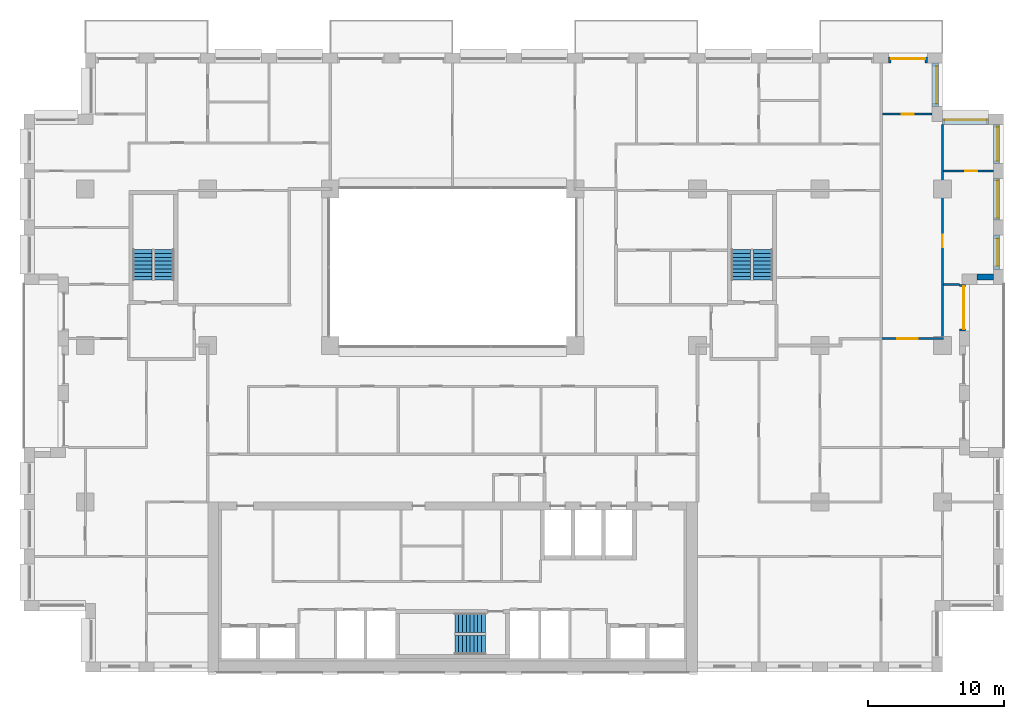
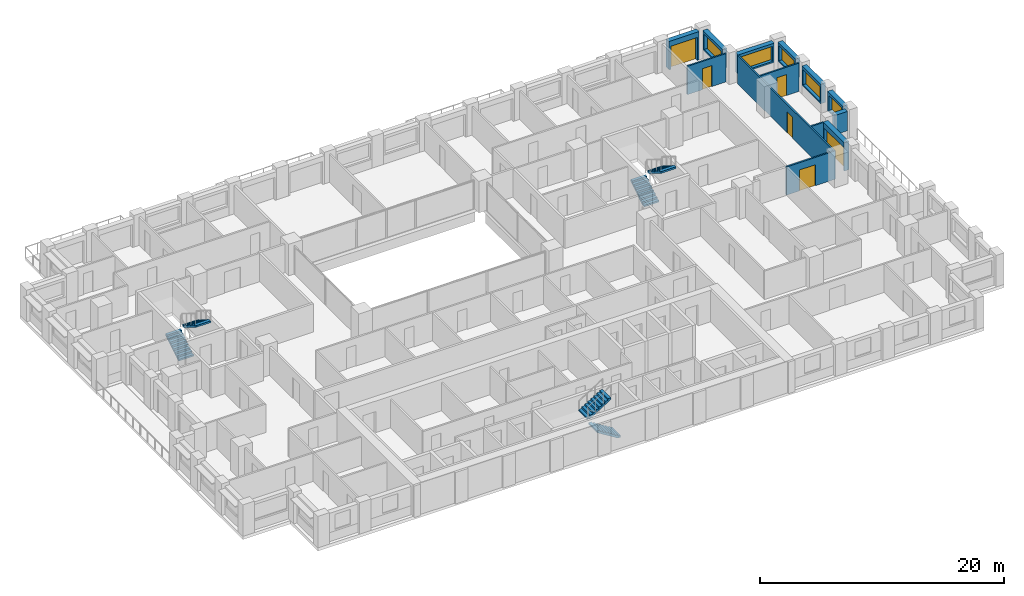
# One storey, part 15 of 16: 13 walls, 6 doors, 6 stair flights, 5 windows, 11 openings, 3 elements without a shape of their own.
"""IFC4 building model written with IfcOpenShell, lengths in metres."""

from ifc_helpers import new_model, si_unit, direction, frame, frame_2d, origin, place, context, subcontext, project, spatial, polyline, rectangle, outline, extrude, material, layer, layer_set, type_object, element, fill, aggregate, save


model = new_model("IFC4")

# Units and contexts
model_context = context("Model", 3, precision=1e-05, world=origin(), true_north=direction((0.0, 1.0)))
body_context = subcontext(model_context, "Body", "Model", "MODEL_VIEW")
ifc_project = project(units=[si_unit("LENGTHUNIT", "METRE"), si_unit("AREAUNIT", "SQUARE_METRE"), si_unit("VOLUMEUNIT", "CUBIC_METRE"), si_unit("PLANEANGLEUNIT", "RADIAN"), si_unit("MASSUNIT", "GRAM", prefix="KILO")], contexts=[model_context])

# Site, building, storey
site_placement = place(None, origin())
site = spatial("IfcSite", under=ifc_project, at=site_placement, CompositionType="ELEMENT")
building_placement = place(site_placement, origin())
building = spatial("IfcBuilding", under=site, at=building_placement, Name="Brigalow Station Residences", CompositionType="ELEMENT")
storey_placement = place(building_placement, frame((0.0, 0.0, 89.85009765625)))
storey = spatial("IfcBuildingStorey", under=building, at=storey_placement, Name="L25", CompositionType="ELEMENT", Elevation=89.85009765625)

# Wall, opening, door
ifc_material_1 = material(Name="Clay brick masonry", Category="masonry")
ifc_layer_1 = layer(ifc_material_1, 0.449951171875)
ifc_layer_set_1 = layer_set([ifc_layer_1], Name="BRICK INFILL WALL 450")
wall_type_1 = type_object("IfcWallType", Name="BRICK INFILL WALL 450", PredefinedType="SOLIDWALL", material=ifc_layer_set_1)
wall_1_placement = place(storey_placement, frame((73.47509765625, 25.050048828125, 0.0), z_axis=(0.0, 0.0, 1.0), x_axis=(0.0, 1.0, 0.0)))
wall_1 = element("IfcWall", 1, at=wall_1_placement, inside=storey, type_object=wall_type_1, Name="L25/ewall/W-L25-16", PredefinedType="SOLIDWALL", context=body_context, shape_type="SweptSolid", body=[
    extrude(rectangle(XDim=3.449951171875, YDim=0.449951171875, at=frame_2d((1.72509765625, 0.0))), origin(), (0.0, 0.0, 1.0), 2.829833984375),
])
opening_1_placement = place(wall_1_placement, frame((0.14990234375, 0.0, 0.0)))
opening_1 = element("IfcOpeningElement", 2, at=opening_1_placement, cuts=wall_1, Name="Opening D-B3150", PredefinedType="OPENING", context=body_context, shape_type="SweptSolid", body=[
    extrude(rectangle(XDim=3.14990234375, YDim=2.300048828125, at=frame_2d((1.574951171875, 1.14990234375))), frame((0.0, 0.23486328125, 0.0), z_axis=(0.0, -1.0, 0.0), x_axis=(1.0, 0.0, 0.0)), (0.0, 0.0, 1.0), 0.469970703125),
])
ifc_material_2 = material(Name="Anodised aluminium frame with double glazing", Category="aluminium")
door_type_1 = type_object("IfcDoorType", Name="BALCONY SLIDING DOOR 3150x2300", OperationType="SLIDING_TO_LEFT", PredefinedType="DOOR", material=ifc_material_2)
door_1_placement = place(opening_1_placement, origin())
door_1 = element("IfcDoor", 3, at=door_1_placement, inside=storey, type_object=door_type_1, Name="L25/balcony-door/W-L25-16", OperationType="SLIDING_TO_LEFT", OverallHeight=2.300048828125, OverallWidth=3.14990234375, PredefinedType="DOOR", context=body_context, shape_type="SweptSolid", body=[
    extrude(rectangle(XDim=3.14990234375, YDim=2.300048828125, at=frame_2d((1.574951171875, 1.14990234375))), frame((0.0, -0.06982421875, 0.0), z_axis=(0.0, -1.0, 0.0), x_axis=(1.0, 0.0, 0.0)), (0.0, 0.0, 1.0), 0.050048828125),
])
fill(opening_1, door_1)

# Wall
wall_2_placement = place(storey_placement, frame((74.550048828125, 29.02490234375, 0.89990234375), z_axis=(0.0, 0.0, 1.0), x_axis=(1.0, 0.0, 0.0)))
element("IfcWall", 4, at=wall_2_placement, inside=storey, type_object=wall_type_1, Name="L25/ewall/W-L25-17", PredefinedType="SOLIDWALL", context=body_context, shape_type="SweptSolid", body=[
    extrude(rectangle(XDim=1.199951171875, YDim=0.449951171875, at=frame_2d((0.60009765625, 0.0))), origin(), (0.0, 0.0, 1.0), 1.929931640625),
])

# Wall, opening, window
wall_3_placement = place(storey_placement, frame((75.97509765625, 29.60009765625, 0.89990234375), z_axis=(0.0, 0.0, 1.0), x_axis=(0.0, 1.0, 0.0)))
wall_3 = element("IfcWall", 5, at=wall_3_placement, inside=storey, type_object=wall_type_1, Name="L25/ewall/W-L25-18", PredefinedType="SOLIDWALL", context=body_context, shape_type="SweptSolid", body=[
    extrude(rectangle(XDim=2.516845703125, YDim=0.449951171875, at=frame_2d((1.25830078125, 0.0))), origin(), (0.0, 0.0, 1.0), 1.929931640625),
])
opening_2_placement = place(wall_3_placement, frame((0.258544921875, 0.0, 0.14990234375)))
opening_2 = element("IfcOpeningElement", 6, at=opening_2_placement, cuts=wall_3, Name="Opening WT-7", PredefinedType="OPENING", context=body_context, shape_type="SweptSolid", body=[
    extrude(rectangle(XDim=2.0, YDim=1.5, at=frame_2d((1.0, 0.75))), frame((0.0, 0.23486328125, 0.0), z_axis=(0.0, -1.0, 0.0), x_axis=(1.0, 0.0, 0.0)), (0.0, 0.0, 1.0), 0.469970703125),
])
ifc_material_3 = material(Name="Anodised aluminium frame with double glazing", Category="aluminium")
window_type_1 = type_object("IfcWindowType", Name="WINDOW 2000x1500", PartitioningType="SINGLE_PANEL", PredefinedType="WINDOW", material=ifc_material_3)
window_1_placement = place(opening_2_placement, origin())
window_1 = element("IfcWindow", 7, at=window_1_placement, inside=storey, type_object=window_type_1, Name="L25/window/W-L25-18", OverallHeight=1.5, OverallWidth=2.0, PartitioningType="SINGLE_PANEL", PredefinedType="WINDOW", context=body_context, shape_type="SweptSolid", body=[
    extrude(rectangle(XDim=2.0, YDim=1.5, at=frame_2d((1.0, 0.75))), frame((0.0, -0.06494140625, 0.0), z_axis=(0.0, -1.0, 0.0), x_axis=(1.0, 0.0, 0.0)), (0.0, 0.0, 1.0), 0.06005859375),
])
fill(opening_2, window_1)

wall_4_placement = place(storey_placement, frame((75.97509765625, 33.217041015625, 0.89990234375), z_axis=(0.0, 0.0, 1.0), x_axis=(0.0, 1.0, 0.0)))
wall_4 = element("IfcWall", 8, at=wall_4_placement, inside=storey, type_object=wall_type_1, Name="L25/ewall/W-L25-19", PredefinedType="SOLIDWALL", context=body_context, shape_type="SweptSolid", body=[
    extrude(rectangle(XDim=3.06591796875, YDim=0.449951171875, at=frame_2d((1.532958984375, 0.0))), origin(), (0.0, 0.0, 1.0), 1.929931640625),
])
opening_3_placement = place(wall_4_placement, frame((0.157958984375, 0.0, 0.14990234375)))
opening_3 = element("IfcOpeningElement", 9, at=opening_3_placement, cuts=wall_4, Name="Opening WT-3", PredefinedType="OPENING", context=body_context, shape_type="SweptSolid", body=[
    extrude(rectangle(XDim=2.75, YDim=1.5, at=frame_2d((1.375, 0.75))), frame((0.0, 0.23486328125, 0.0), z_axis=(0.0, -1.0, 0.0), x_axis=(1.0, 0.0, 0.0)), (0.0, 0.0, 1.0), 0.469970703125),
])
ifc_material_4 = material(Name="Anodised aluminium frame with double glazing", Category="aluminium")
window_type_2 = type_object("IfcWindowType", Name="WINDOW 2750x1500", PartitioningType="SINGLE_PANEL", PredefinedType="WINDOW", material=ifc_material_4)
window_2_placement = place(opening_3_placement, origin())
window_2 = element("IfcWindow", 10, at=window_2_placement, inside=storey, type_object=window_type_2, Name="L25/window/W-L25-19", OverallHeight=1.5, OverallWidth=2.75, PartitioningType="SINGLE_PANEL", PredefinedType="WINDOW", context=body_context, shape_type="SweptSolid", body=[
    extrude(rectangle(XDim=2.75, YDim=1.5, at=frame_2d((1.375, 0.75))), frame((0.0, -0.06494140625, 0.0), z_axis=(0.0, -1.0, 0.0), x_axis=(1.0, 0.0, 0.0)), (0.0, 0.0, 1.0), 0.06005859375),
])
fill(opening_3, window_2)

wall_5_placement = place(storey_placement, frame((75.97509765625, 37.383056640625, 0.89990234375), z_axis=(0.0, 0.0, 1.0), x_axis=(0.0, 1.0, 0.0)))
wall_5 = element("IfcWall", 11, at=wall_5_placement, inside=storey, type_object=wall_type_1, Name="L25/ewall/W-L25-20", PredefinedType="SOLIDWALL", context=body_context, shape_type="SweptSolid", body=[
    extrude(rectangle(XDim=2.866943359375, YDim=0.449951171875, at=frame_2d((1.43359375, 0.0))), origin(), (0.0, 0.0, 1.0), 1.929931640625),
])
opening_4_placement = place(wall_5_placement, frame((0.18359375, 0.0, 0.14990234375)))
opening_4 = element("IfcOpeningElement", 12, at=opening_4_placement, cuts=wall_5, Name="Opening WT-5", PredefinedType="OPENING", context=body_context, shape_type="SweptSolid", body=[
    extrude(rectangle(XDim=2.5, YDim=1.5, at=frame_2d((1.25, 0.75))), frame((0.0, 0.23486328125, 0.0), z_axis=(0.0, -1.0, 0.0), x_axis=(1.0, 0.0, 0.0)), (0.0, 0.0, 1.0), 0.469970703125),
])
ifc_material_5 = material(Name="Anodised aluminium frame with double glazing", Category="aluminium")
window_type_3 = type_object("IfcWindowType", Name="WINDOW 2500x1500", PartitioningType="SINGLE_PANEL", PredefinedType="WINDOW", material=ifc_material_5)
window_3_placement = place(opening_4_placement, origin())
window_3 = element("IfcWindow", 13, at=window_3_placement, inside=storey, type_object=window_type_3, Name="L25/window/W-L25-20", OverallHeight=1.5, OverallWidth=2.5, PartitioningType="SINGLE_PANEL", PredefinedType="WINDOW", context=body_context, shape_type="SweptSolid", body=[
    extrude(rectangle(XDim=2.5, YDim=1.5, at=frame_2d((1.25, 0.75))), frame((0.0, -0.06494140625, 0.0), z_axis=(0.0, -1.0, 0.0), x_axis=(1.0, 0.0, 0.0)), (0.0, 0.0, 1.0), 0.06005859375),
])
fill(opening_4, window_3)

wall_6_placement = place(storey_placement, frame((75.39990234375, 40.47509765625, 0.89990234375), z_axis=(0.0, 0.0, 1.0), x_axis=(-1.0, 0.0, 0.0)))
wall_6 = element("IfcWall", 14, at=wall_6_placement, inside=storey, type_object=wall_type_1, Name="L25/ewall/W-L25-21", PredefinedType="SOLIDWALL", context=body_context, shape_type="SweptSolid", body=[
    extrude(rectangle(XDim=3.39990234375, YDim=0.449951171875, at=frame_2d((1.699951171875, 0.0))), origin(), (0.0, 0.0, 1.0), 1.929931640625),
])
opening_5_placement = place(wall_6_placement, frame((0.14990234375, 0.0, 0.14990234375)))
opening_5 = element("IfcOpeningElement", 15, at=opening_5_placement, cuts=wall_6, Name="Opening WT-8", PredefinedType="OPENING", context=body_context, shape_type="SweptSolid", body=[
    extrude(rectangle(XDim=3.10009765625, YDim=1.5, at=frame_2d((1.550048828125, 0.75))), frame((0.0, 0.23486328125, 0.0), z_axis=(0.0, -1.0, 0.0), x_axis=(1.0, 0.0, 0.0)), (0.0, 0.0, 1.0), 0.469970703125),
])
ifc_material_6 = material(Name="Anodised aluminium frame with double glazing", Category="aluminium")
window_type_4 = type_object("IfcWindowType", Name="WINDOW 3100x1500", PartitioningType="SINGLE_PANEL", PredefinedType="WINDOW", material=ifc_material_6)
window_4_placement = place(opening_5_placement, origin())
window_4 = element("IfcWindow", 16, at=window_4_placement, inside=storey, type_object=window_type_4, Name="L25/window/W-L25-21", OverallHeight=1.5, OverallWidth=3.10009765625, PartitioningType="SINGLE_PANEL", PredefinedType="WINDOW", context=body_context, shape_type="SweptSolid", body=[
    extrude(rectangle(XDim=3.10009765625, YDim=1.5, at=frame_2d((1.550048828125, 0.75))), frame((0.0, -0.06494140625, 0.0), z_axis=(0.0, -1.0, 0.0), x_axis=(1.0, 0.0, 0.0)), (0.0, 0.0, 1.0), 0.06005859375),
])
fill(opening_5, window_4)

wall_7_placement = place(storey_placement, frame((71.47509765625, 41.550048828125, 0.89990234375), z_axis=(0.0, 0.0, 1.0), x_axis=(0.0, 1.0, 0.0)))
wall_7 = element("IfcWall", 17, at=wall_7_placement, inside=storey, type_object=wall_type_1, Name="L25/ewall/W-L25-22", PredefinedType="SOLIDWALL", context=body_context, shape_type="SweptSolid", body=[
    extrude(rectangle(XDim=3.199951171875, YDim=0.449951171875, at=frame_2d((1.60009765625, 0.0))), origin(), (0.0, 0.0, 1.0), 1.929931640625),
])
opening_6_placement = place(wall_7_placement, frame((0.22509765625, 0.0, 0.14990234375)))
opening_6 = element("IfcOpeningElement", 18, at=opening_6_placement, cuts=wall_7, Name="Opening WT-3", PredefinedType="OPENING", context=body_context, shape_type="SweptSolid", body=[
    extrude(rectangle(XDim=2.75, YDim=1.5, at=frame_2d((1.375, 0.75))), frame((0.0, 0.23486328125, 0.0), z_axis=(0.0, -1.0, 0.0), x_axis=(1.0, 0.0, 0.0)), (0.0, 0.0, 1.0), 0.469970703125),
])
window_5_placement = place(opening_6_placement, origin())
window_5 = element("IfcWindow", 19, at=window_5_placement, inside=storey, type_object=window_type_2, Name="L25/window/W-L25-22", OverallHeight=1.5, OverallWidth=2.75, PartitioningType="SINGLE_PANEL", PredefinedType="WINDOW", context=body_context, shape_type="SweptSolid", body=[
    extrude(rectangle(XDim=2.75, YDim=1.5, at=frame_2d((1.375, 0.75))), frame((0.0, -0.06494140625, 0.0), z_axis=(0.0, -1.0, 0.0), x_axis=(1.0, 0.0, 0.0)), (0.0, 0.0, 1.0), 0.06005859375),
])
fill(opening_6, window_5)

# Wall, opening, door
wall_8_placement = place(storey_placement, frame((70.89990234375, 44.97509765625, 0.0), z_axis=(0.0, 0.0, 1.0), x_axis=(-1.0, 0.0, 0.0)))
wall_8 = element("IfcWall", 20, at=wall_8_placement, inside=storey, type_object=wall_type_1, Name="L25/ewall/W-L25-23", PredefinedType="SOLIDWALL", context=body_context, shape_type="SweptSolid", body=[
    extrude(rectangle(XDim=2.849853515625, YDim=0.449951171875, at=frame_2d((1.4248046875, 0.0))), origin(), (0.0, 0.0, 1.0), 2.829833984375),
])
opening_7_placement = place(wall_8_placement, frame((0.175048828125, 0.0, 0.0)))
opening_7 = element("IfcOpeningElement", 21, at=opening_7_placement, cuts=wall_8, Name="Opening D-B2500", PredefinedType="OPENING", context=body_context, shape_type="SweptSolid", body=[
    extrude(rectangle(XDim=2.5, YDim=2.300048828125, at=frame_2d((1.25, 1.14990234375))), frame((0.0, 0.23486328125, 0.0), z_axis=(0.0, -1.0, 0.0), x_axis=(1.0, 0.0, 0.0)), (0.0, 0.0, 1.0), 0.469970703125),
])
ifc_material_7 = material(Name="Anodised aluminium frame with double glazing", Category="aluminium")
door_type_2 = type_object("IfcDoorType", Name="BALCONY SLIDING DOOR 2500x2300", OperationType="SLIDING_TO_LEFT", PredefinedType="DOOR", material=ifc_material_7)
door_2_placement = place(opening_7_placement, origin())
door_2 = element("IfcDoor", 22, at=door_2_placement, inside=storey, type_object=door_type_2, Name="L25/balcony-door/W-L25-23", OperationType="SLIDING_TO_LEFT", OverallHeight=2.300048828125, OverallWidth=2.5, PredefinedType="DOOR", context=body_context, shape_type="SweptSolid", body=[
    extrude(rectangle(XDim=2.5, YDim=2.300048828125, at=frame_2d((1.25, 1.14990234375))), frame((0.0, -0.06982421875, 0.0), z_axis=(0.0, -1.0, 0.0), x_axis=(1.0, 0.0, 0.0)), (0.0, 0.0, 1.0), 0.050048828125),
])
fill(opening_7, door_2)

ifc_material_8 = material(Name="Plasterboard on steel stud partition", Category="steel")
ifc_layer_2 = layer(ifc_material_8, 0.14990234375)
ifc_layer_set_2 = layer_set([ifc_layer_2], Name="FLAT PARTITION 150")
wall_type_2 = type_object("IfcWallType", Name="FLAT PARTITION 150", PredefinedType="PARTITIONING", material=ifc_layer_set_2)
wall_9_placement = place(storey_placement, frame((67.425048828125, 24.5, 0.0), z_axis=(0.0, 0.0, 1.0), x_axis=(1.0, 0.0, 0.0)))
wall_9 = element("IfcWall", 23, at=wall_9_placement, inside=storey, type_object=wall_type_2, Name="PW-2A20", PredefinedType="PARTITIONING", context=body_context, shape_type="SweptSolid", body=[
    extrude(rectangle(XDim=4.64990234375, YDim=0.14990234375, at=frame_2d((2.324951171875, 0.0))), origin(), (0.0, 0.0, 1.0), 2.829833984375),
])
opening_8_placement = place(wall_9_placement, frame((1.25, 0.0, 0.0)))
opening_8 = element("IfcOpeningElement", 24, at=opening_8_placement, cuts=wall_9, Name="Opening D-2A45", PredefinedType="OPENING", context=body_context, shape_type="SweptSolid", body=[
    extrude(rectangle(XDim=1.5, YDim=2.10009765625, at=frame_2d((0.75, 1.050048828125))), frame((0.0, 0.0849609375, 0.0), z_axis=(0.0, -1.0, 0.0), x_axis=(1.0, 0.0, 0.0)), (0.0, 0.0, 1.0), 0.169921875),
])
ifc_material_9 = material(Name="Solid-core timber door leaf", Category="wood")
door_type_3 = type_object("IfcDoorType", Name="INTERNAL DOUBLE DOOR 1500 x 2100", OperationType="DOUBLE_DOOR_SINGLE_SWING", PredefinedType="DOOR", material=ifc_material_9)
door_3_placement = place(opening_8_placement, frame((1.5, 0.0, 0.0), z_axis=(0.0, 0.0, 1.0), x_axis=(-1.0, 0.0, 0.0)))
door_3 = element("IfcDoor", 25, at=door_3_placement, inside=storey, type_object=door_type_3, Name="D-2A45", OperationType="DOUBLE_DOOR_SINGLE_SWING", OverallHeight=2.10009765625, OverallWidth=1.5, PredefinedType="DOOR", context=body_context, shape_type="SweptSolid", body=[
    extrude(rectangle(XDim=1.5, YDim=2.10009765625, at=frame_2d((0.75, 1.050048828125))), frame((0.0, 0.02490234375, 0.0), z_axis=(0.0, -1.0, 0.0), x_axis=(1.0, 0.0, 0.0)), (0.0, 0.0, 1.0), 0.050048828125),
])
fill(opening_8, door_3)

# Wall
wall_10_placement = place(storey_placement, frame((72.074951171875, 28.5, 0.0), z_axis=(0.0, 0.0, 1.0), x_axis=(1.0, 0.0, 0.0)))
element("IfcWall", 26, at=wall_10_placement, inside=storey, type_object=wall_type_2, Name="PW-2A23", PredefinedType="PARTITIONING", context=body_context, shape_type="SweptSolid", body=[
    extrude(rectangle(XDim=1.175048828125, YDim=0.14990234375, at=frame_2d((0.58740234375, 0.0))), origin(), (0.0, 0.0, 1.0), 2.829833984375),
])

# Wall, opening, door
wall_11_placement = place(storey_placement, frame((72.074951171875, 36.8330078125, 0.0), z_axis=(0.0, 0.0, 1.0), x_axis=(1.0, 0.0, 0.0)))
wall_11 = element("IfcWall", 27, at=wall_11_placement, inside=storey, type_object=wall_type_2, Name="PW-2A26", PredefinedType="PARTITIONING", context=body_context, shape_type="SweptSolid", body=[
    extrude(rectangle(XDim=3.675048828125, YDim=0.14990234375, at=frame_2d((1.83740234375, 0.0))), origin(), (0.0, 0.0, 1.0), 2.829833984375),
])
opening_9_placement = place(wall_11_placement, frame((1.60009765625, 0.0, 0.0)))
opening_9 = element("IfcOpeningElement", 28, at=opening_9_placement, cuts=wall_11, Name="Opening D-2A47", PredefinedType="OPENING", context=body_context, shape_type="SweptSolid", body=[
    extrude(rectangle(XDim=0.89990234375, YDim=2.10009765625, at=frame_2d((0.449951171875, 1.050048828125))), frame((0.0, 0.0849609375, 0.0), z_axis=(0.0, -1.0, 0.0), x_axis=(1.0, 0.0, 0.0)), (0.0, 0.0, 1.0), 0.169921875),
])
ifc_material_10 = material(Name="Solid-core timber door leaf", Category="wood")
door_type_4 = type_object("IfcDoorType", Name="INTERNAL DOOR 900 x 2100", OperationType="SINGLE_SWING_LEFT", PredefinedType="DOOR", material=ifc_material_10)
door_4_placement = place(opening_9_placement, origin())
door_4 = element("IfcDoor", 29, at=door_4_placement, inside=storey, type_object=door_type_4, Name="D-2A47", OperationType="SINGLE_SWING_RIGHT", OverallHeight=2.10009765625, OverallWidth=0.89990234375, PredefinedType="DOOR", context=body_context, shape_type="SweptSolid", body=[
    extrude(rectangle(XDim=0.89990234375, YDim=2.10009765625, at=frame_2d((0.449951171875, 1.050048828125))), frame((0.0, 0.02490234375, 0.0), z_axis=(0.0, -1.0, 0.0), x_axis=(1.0, 0.0, 0.0)), (0.0, 0.0, 1.0), 0.050048828125),
])
fill(opening_9, door_4)

wall_12_placement = place(storey_placement, frame((67.60009765625, 41.0, 0.0), z_axis=(0.0, 0.0, 1.0), x_axis=(1.0, 0.0, 0.0)))
wall_12 = element("IfcWall", 30, at=wall_12_placement, inside=storey, type_object=wall_type_2, Name="PW-2A32", PredefinedType="PARTITIONING", context=body_context, shape_type="SweptSolid", body=[
    extrude(rectangle(XDim=3.64990234375, YDim=0.14990234375, at=frame_2d((1.824951171875, 0.0))), origin(), (0.0, 0.0, 1.0), 2.829833984375),
])
opening_10_placement = place(wall_12_placement, frame((1.39990234375, 0.0, 0.0)))
opening_10 = element("IfcOpeningElement", 31, at=opening_10_placement, cuts=wall_12, Name="Opening D-2A48", PredefinedType="OPENING", context=body_context, shape_type="SweptSolid", body=[
    extrude(rectangle(XDim=0.89990234375, YDim=2.10009765625, at=frame_2d((0.449951171875, 1.050048828125))), frame((0.0, 0.0849609375, 0.0), z_axis=(0.0, -1.0, 0.0), x_axis=(1.0, 0.0, 0.0)), (0.0, 0.0, 1.0), 0.169921875),
])
door_5_placement = place(opening_10_placement, origin())
door_5 = element("IfcDoor", 32, at=door_5_placement, inside=storey, type_object=door_type_4, Name="D-2A48", OperationType="SINGLE_SWING_RIGHT", OverallHeight=2.10009765625, OverallWidth=0.89990234375, PredefinedType="DOOR", context=body_context, shape_type="SweptSolid", body=[
    extrude(rectangle(XDim=0.89990234375, YDim=2.10009765625, at=frame_2d((0.449951171875, 1.050048828125))), frame((0.0, 0.02490234375, 0.0), z_axis=(0.0, -1.0, 0.0), x_axis=(1.0, 0.0, 0.0)), (0.0, 0.0, 1.0), 0.050048828125),
])
fill(opening_10, door_5)

wall_13_placement = place(storey_placement, frame((72.0, 24.574951171875, 0.0), z_axis=(0.0, 0.0, 1.0), x_axis=(0.0, 1.0, 0.0)))
wall_13 = element("IfcWall", 33, at=wall_13_placement, inside=storey, type_object=wall_type_2, Name="PW-2A71", PredefinedType="PARTITIONING", context=body_context, shape_type="SweptSolid", body=[
    extrude(rectangle(XDim=15.675048828125, YDim=0.14990234375, at=frame_2d((7.83740234375, 0.0))), origin(), (0.0, 0.0, 1.0), 2.829833984375),
])
opening_11_placement = place(wall_13_placement, frame((6.64990234375, 0.0, 0.0)))
opening_11 = element("IfcOpeningElement", 34, at=opening_11_placement, cuts=wall_13, Name="Opening D-2A46", PredefinedType="OPENING", context=body_context, shape_type="SweptSolid", body=[
    extrude(rectangle(XDim=0.89990234375, YDim=2.10009765625, at=frame_2d((0.449951171875, 1.050048828125))), frame((0.0, 0.0849609375, 0.0), z_axis=(0.0, -1.0, 0.0), x_axis=(1.0, 0.0, 0.0)), (0.0, 0.0, 1.0), 0.169921875),
])
door_6_placement = place(opening_11_placement, frame((0.89990234375, 0.0, 0.0), z_axis=(0.0, 0.0, 1.0), x_axis=(-1.0, 0.0, 0.0)))
door_6 = element("IfcDoor", 35, at=door_6_placement, inside=storey, type_object=door_type_4, Name="D-2A46", OperationType="SINGLE_SWING_RIGHT", OverallHeight=2.10009765625, OverallWidth=0.89990234375, PredefinedType="DOOR", context=body_context, shape_type="SweptSolid", body=[
    extrude(rectangle(XDim=0.89990234375, YDim=2.10009765625, at=frame_2d((0.449951171875, 1.050048828125))), frame((0.0, 0.02490234375, 0.0), z_axis=(0.0, -1.0, 0.0), x_axis=(1.0, 0.0, 0.0)), (0.0, 0.0, 1.0), 0.050048828125),
])
fill(opening_11, door_6)

# Stair, stair flights
ifc_material_11 = material(Name="Concrete C50", Category="concrete")
stair_type = type_object("IfcStairType", Name="EXIT STAIR 1400 2 FLIGHT", PredefinedType="HALF_TURN_STAIR", material=ifc_material_11)
stair_1_placement = place(storey_placement, origin())
stair_1 = element("IfcStair", 36, at=stair_1_placement, inside=storey, type_object=stair_type, Name="EXIT STAIR S2 L25", PredefinedType="HALF_TURN_STAIR")
ifc_material_12 = material(Name="Concrete C50", Category="concrete")
stair_flight_type = type_object("IfcStairFlightType", Name="STAIR FLIGHT 1400", PredefinedType="STRAIGHT", material=ifc_material_12)
stair_flight_1_placement = place(storey_placement, frame((38.39990234375, 2.0, 0.0), z_axis=(0.0, 0.0, 1.0), x_axis=(-1.0, 0.0, 0.0)))
stair_flight_1 = element("IfcStairFlight", 37, at=stair_flight_1_placement, type_object=stair_flight_type, Name="ST-2 flight 1", NumberOfRisers=9, NumberOfTreads=8, PredefinedType="STRAIGHT", RiserHeight=0.175, TreadLength=0.28, context=body_context, shape_type="SweptSolid", body=[
    extrude(outline(polyline([(0.0, 0.0), (0.0, 0.175048828125), (0.280029296875, 0.175048828125), (0.280029296875, 0.35009765625), (0.56005859375, 0.35009765625), (0.56005859375, 0.52490234375), (0.840087890625, 0.52490234375), (0.840087890625, 0.699951171875), (1.1201171875, 0.699951171875), (1.1201171875, 0.875), (1.39990234375, 0.875), (1.39990234375, 1.050048828125), (1.679931640625, 1.050048828125), (1.679931640625, 1.22509765625), (1.9599609375, 1.22509765625), (1.9599609375, 1.39990234375), (2.239990234375, 1.39990234375), (2.239990234375, 1.574951171875), (2.239990234375, 1.22314453125), (0.28271484375, 0.0), (0.0, 0.0)])), frame((0.0, 0.699951171875, 0.0), z_axis=(0.0, -1.0, 0.0), x_axis=(1.0, 0.0, 0.0)), (0.0, 0.0, 1.0), 1.39990234375),
])
stair_flight_2_placement = place(storey_placement, frame((36.159912109375, 3.60009765625, 1.574951171875), z_axis=(0.0, 0.0, 1.0), x_axis=(1.0, 0.0, 0.0)))
stair_flight_2 = element("IfcStairFlight", 38, at=stair_flight_2_placement, type_object=stair_flight_type, Name="ST-2 flight 2", NumberOfRisers=9, NumberOfTreads=8, PredefinedType="STRAIGHT", RiserHeight=0.175, TreadLength=0.28, context=body_context, shape_type="SweptSolid", body=[
    extrude(outline(polyline([(0.0, 0.0), (0.0, 0.175048828125), (0.280029296875, 0.175048828125), (0.280029296875, 0.35009765625), (0.56005859375, 0.35009765625), (0.56005859375, 0.52490234375), (0.840087890625, 0.52490234375), (0.840087890625, 0.699951171875), (1.1201171875, 0.699951171875), (1.1201171875, 0.875), (1.39990234375, 0.875), (1.39990234375, 1.050048828125), (1.679931640625, 1.050048828125), (1.679931640625, 1.22509765625), (1.9599609375, 1.22509765625), (1.9599609375, 1.39990234375), (2.239990234375, 1.39990234375), (2.239990234375, 1.574951171875), (2.239990234375, 1.22314453125), (0.28271484375, 0.0), (0.0, 0.0)])), frame((0.0, 0.699951171875, 0.0), z_axis=(0.0, -1.0, 0.0), x_axis=(1.0, 0.0, 0.0)), (0.0, 0.0, 1.0), 1.39990234375),
])
aggregate(stair_1, [stair_flight_1, stair_flight_2])

stair_2_placement = place(storey_placement, origin())
stair_2 = element("IfcStair", 39, at=stair_2_placement, inside=storey, type_object=stair_type, Name="EXIT STAIR S1 L25", PredefinedType="HALF_TURN_STAIR")
stair_flight_3_placement = place(storey_placement, frame((13.199951171875, 28.800048828125, 0.0), z_axis=(0.0, 0.0, 1.0), x_axis=(0.0, 1.0, 0.0)))
stair_flight_3 = element("IfcStairFlight", 40, at=stair_flight_3_placement, type_object=stair_flight_type, Name="ST-1 flight 1", NumberOfRisers=9, NumberOfTreads=8, PredefinedType="STRAIGHT", RiserHeight=0.175, TreadLength=0.28, context=body_context, shape_type="SweptSolid", body=[
    extrude(outline(polyline([(0.0, 0.0), (0.0, 0.175048828125), (0.280029296875, 0.175048828125), (0.280029296875, 0.35009765625), (0.56005859375, 0.35009765625), (0.56005859375, 0.52490234375), (0.840087890625, 0.52490234375), (0.840087890625, 0.699951171875), (1.1201171875, 0.699951171875), (1.1201171875, 0.875), (1.39990234375, 0.875), (1.39990234375, 1.050048828125), (1.679931640625, 1.050048828125), (1.679931640625, 1.22509765625), (1.9599609375, 1.22509765625), (1.9599609375, 1.39990234375), (2.239990234375, 1.39990234375), (2.239990234375, 1.574951171875), (2.239990234375, 1.22314453125), (0.28271484375, 0.0), (0.0, 0.0)])), frame((0.0, 0.699951171875, 0.0), z_axis=(0.0, -1.0, 0.0), x_axis=(1.0, 0.0, 0.0)), (0.0, 0.0, 1.0), 1.39990234375),
])
stair_flight_4_placement = place(storey_placement, frame((14.800048828125, 31.0400390625, 1.574951171875), z_axis=(0.0, 0.0, 1.0), x_axis=(0.0, -1.0, 0.0)))
stair_flight_4 = element("IfcStairFlight", 41, at=stair_flight_4_placement, type_object=stair_flight_type, Name="ST-1 flight 2", NumberOfRisers=9, NumberOfTreads=8, PredefinedType="STRAIGHT", RiserHeight=0.175, TreadLength=0.28, context=body_context, shape_type="SweptSolid", body=[
    extrude(outline(polyline([(0.0, 0.0), (0.0, 0.175048828125), (0.280029296875, 0.175048828125), (0.280029296875, 0.35009765625), (0.56005859375, 0.35009765625), (0.56005859375, 0.52490234375), (0.840087890625, 0.52490234375), (0.840087890625, 0.699951171875), (1.1201171875, 0.699951171875), (1.1201171875, 0.875), (1.39990234375, 0.875), (1.39990234375, 1.050048828125), (1.679931640625, 1.050048828125), (1.679931640625, 1.22509765625), (1.9599609375, 1.22509765625), (1.9599609375, 1.39990234375), (2.239990234375, 1.39990234375), (2.239990234375, 1.574951171875), (2.239990234375, 1.22314453125), (0.28271484375, 0.0), (0.0, 0.0)])), frame((0.0, 0.699951171875, 0.0), z_axis=(0.0, -1.0, 0.0), x_axis=(1.0, 0.0, 0.0)), (0.0, 0.0, 1.0), 1.39990234375),
])
aggregate(stair_2, [stair_flight_3, stair_flight_4])

stair_3_placement = place(storey_placement, origin())
stair_3 = element("IfcStair", 42, at=stair_3_placement, inside=storey, type_object=stair_type, Name="EXIT STAIR S3 L25", PredefinedType="HALF_TURN_STAIR")
stair_flight_5_placement = place(storey_placement, frame((57.199951171875, 28.800048828125, 0.0), z_axis=(0.0, 0.0, 1.0), x_axis=(0.0, 1.0, 0.0)))
stair_flight_5 = element("IfcStairFlight", 43, at=stair_flight_5_placement, type_object=stair_flight_type, Name="ST-3 flight 1", NumberOfRisers=9, NumberOfTreads=8, PredefinedType="STRAIGHT", RiserHeight=0.175, TreadLength=0.28, context=body_context, shape_type="SweptSolid", body=[
    extrude(outline(polyline([(0.0, 0.0), (0.0, 0.175048828125), (0.280029296875, 0.175048828125), (0.280029296875, 0.35009765625), (0.56005859375, 0.35009765625), (0.56005859375, 0.52490234375), (0.840087890625, 0.52490234375), (0.840087890625, 0.699951171875), (1.1201171875, 0.699951171875), (1.1201171875, 0.875), (1.39990234375, 0.875), (1.39990234375, 1.050048828125), (1.679931640625, 1.050048828125), (1.679931640625, 1.22509765625), (1.9599609375, 1.22509765625), (1.9599609375, 1.39990234375), (2.239990234375, 1.39990234375), (2.239990234375, 1.574951171875), (2.239990234375, 1.22314453125), (0.28271484375, 0.0), (0.0, 0.0)])), frame((0.0, 0.699951171875, 0.0), z_axis=(0.0, -1.0, 0.0), x_axis=(1.0, 0.0, 0.0)), (0.0, 0.0, 1.0), 1.39990234375),
])
stair_flight_6_placement = place(storey_placement, frame((58.800048828125, 31.0400390625, 1.574951171875), z_axis=(0.0, 0.0, 1.0), x_axis=(0.0, -1.0, 0.0)))
stair_flight_6 = element("IfcStairFlight", 44, at=stair_flight_6_placement, type_object=stair_flight_type, Name="ST-3 flight 2", NumberOfRisers=9, NumberOfTreads=8, PredefinedType="STRAIGHT", RiserHeight=0.175, TreadLength=0.28, context=body_context, shape_type="SweptSolid", body=[
    extrude(outline(polyline([(0.0, 0.0), (0.0, 0.175048828125), (0.280029296875, 0.175048828125), (0.280029296875, 0.35009765625), (0.56005859375, 0.35009765625), (0.56005859375, 0.52490234375), (0.840087890625, 0.52490234375), (0.840087890625, 0.699951171875), (1.1201171875, 0.699951171875), (1.1201171875, 0.875), (1.39990234375, 0.875), (1.39990234375, 1.050048828125), (1.679931640625, 1.050048828125), (1.679931640625, 1.22509765625), (1.9599609375, 1.22509765625), (1.9599609375, 1.39990234375), (2.239990234375, 1.39990234375), (2.239990234375, 1.574951171875), (2.239990234375, 1.22314453125), (0.28271484375, 0.0), (0.0, 0.0)])), frame((0.0, 0.699951171875, 0.0), z_axis=(0.0, -1.0, 0.0), x_axis=(1.0, 0.0, 0.0)), (0.0, 0.0, 1.0), 1.39990234375),
])
aggregate(stair_3, [stair_flight_5, stair_flight_6])

save(model, "model.ifc")
